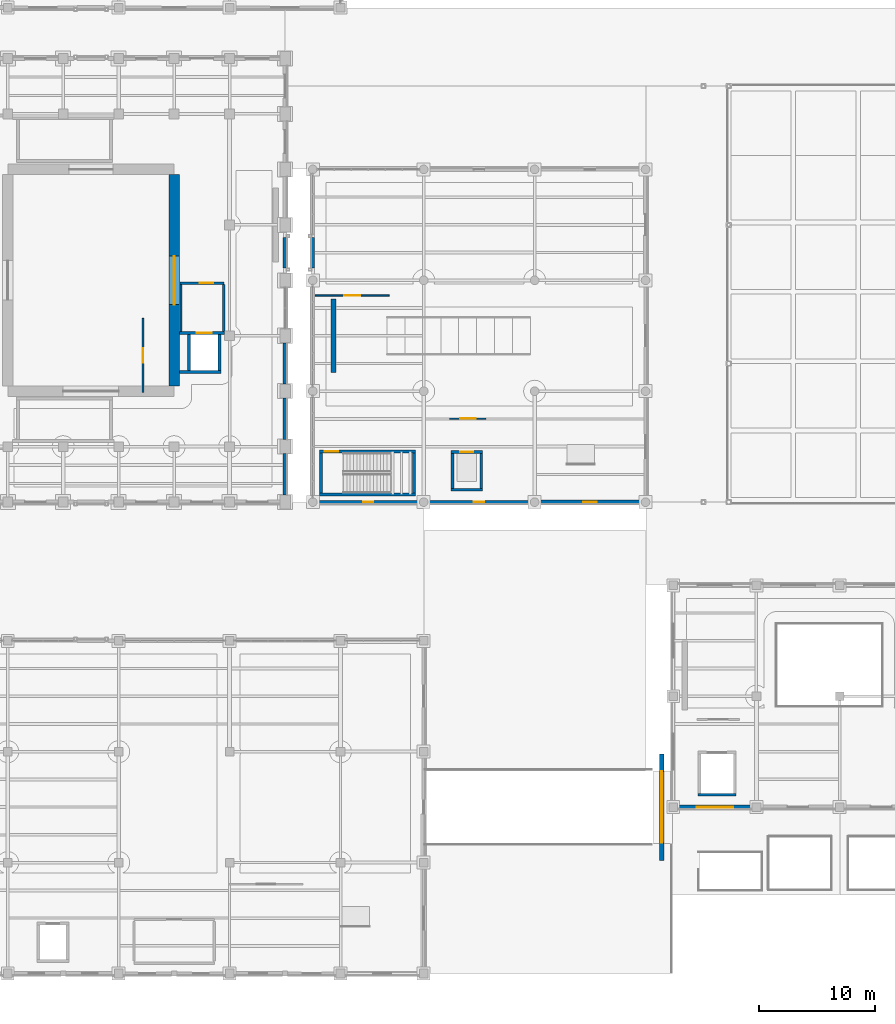
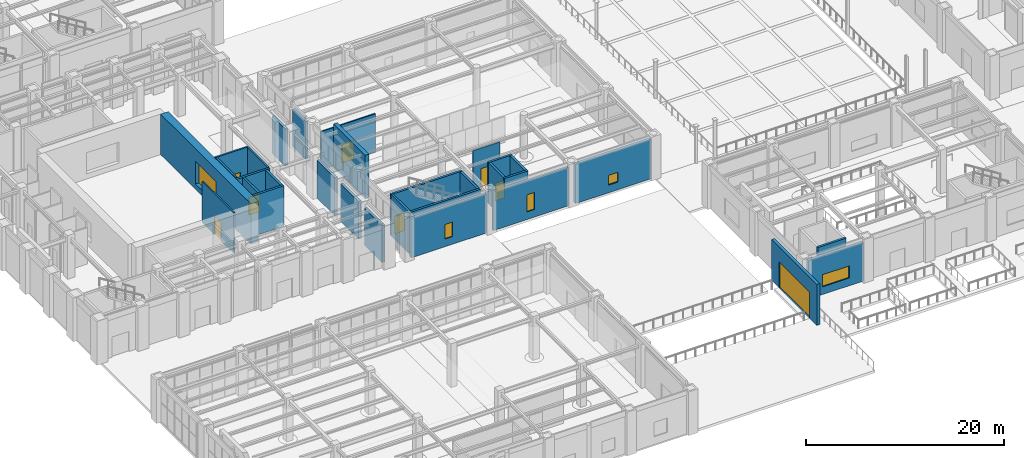
# One storey, part 130 of 164: 31 walls, 8 doors, 5 windows, 13 openings.
"""IFC4 building model written with IfcOpenShell, lengths in metres."""

from ifc_helpers import new_model, si_unit, direction, frame, frame_2d, origin, place, context, subcontext, project, spatial, rectangle, extrude, material, layer, layer_set, type_object, element, fill, save


model = new_model("IFC4")

# Units and contexts
model_context = context("Model", 3, precision=1e-05, world=origin(), true_north=direction((0.0, 1.0)))
body_context = subcontext(model_context, "Body", "Model", "MODEL_VIEW")
ifc_project = project(units=[si_unit("LENGTHUNIT", "METRE"), si_unit("AREAUNIT", "SQUARE_METRE"), si_unit("VOLUMEUNIT", "CUBIC_METRE"), si_unit("PLANEANGLEUNIT", "RADIAN"), si_unit("MASSUNIT", "GRAM", prefix="KILO")], contexts=[model_context])

# Site, building, storey
site_placement = place(None, origin())
site = spatial("IfcSite", under=ifc_project, at=site_placement, CompositionType="ELEMENT")
building_placement = place(site_placement, origin())
building = spatial("IfcBuilding", under=site, at=building_placement, Name="Mavantir Sound Aquarium", CompositionType="ELEMENT")
storey_placement = place(building_placement, origin())
storey = spatial("IfcBuildingStorey", under=building, at=storey_placement, Name="L00", CompositionType="ELEMENT", Elevation=0.0)

# Walls
ifc_material_1 = material(Name="Coral-Buff Architectural Precast Concrete C40/50", Category="concrete")
ifc_layer_1 = layer(ifc_material_1, 0.31005859375, Name="Coral-Buff Architectural Precast Concrete C40/50")
ifc_layer_set_1 = layer_set([ifc_layer_1], Name="Coral-Buff Architectural Precast Concrete C40/50")
wall_type_1 = type_object("IfcWallType", Name="EW-CORAL-310", PredefinedType="SOLIDWALL", material=ifc_layer_set_1)
wall_1_placement = place(storey_placement, frame((36.0, 63.717041015625, 0.0), z_axis=(0.0, 0.0, 1.0), x_axis=(0.0, -1.0, 0.0)))
element("IfcWall", 1, at=wall_1_placement, inside=storey, type_object=wall_type_1, Name="L00 exterior facade wall EW-02 68", PredefinedType="SOLIDWALL", context=body_context, shape_type="SweptSolid", body=[
    extrude(rectangle(XDim=2.634033203125, YDim=0.31005859375, at=frame_2d((1.31689453125, 0.0))), origin(), (0.0, 0.0, 1.0), 4.62109375),
])
ifc_layer_2 = layer(ifc_material_1, 0.340087890625, Name="Coral-Buff Architectural Precast Concrete C40/50")
ifc_layer_set_2 = layer_set([ifc_layer_2], Name="Coral-Buff Architectural Precast Concrete C40/50")
wall_type_2 = type_object("IfcWallType", Name="EW-CORAL-340", PredefinedType="SOLIDWALL", material=ifc_layer_set_2)
wall_2_placement = place(storey_placement, frame((33.60009765625, 41.407958984375, 0.0), z_axis=(0.0, 0.0, 1.0), x_axis=(0.0, 1.0, 0.0)))
element("IfcWall", 2, at=wall_2_placement, inside=storey, type_object=wall_type_2, Name="L00 exterior facade wall EW-01 28", PredefinedType="SOLIDWALL", context=body_context, shape_type="SweptSolid", body=[
    extrude(rectangle(XDim=3.583984375, YDim=0.340087890625, at=frame_2d((1.7919921875, 0.0))), origin(), (0.0, 0.0, 1.0), 4.549072265625),
])
for number, where, z_axis, x_axis, name in (
    (3, (33.60009765625, 46.2080078125, 0.0), (0.0, 0.0, 1.0), (0.0, 1.0, 0.0), "L00 exterior facade wall EW-01 29"),
    (4, (33.60009765625, 51.008056640625, 0.0), (0.0, 0.0, 1.0), (0.0, 1.0, 0.0), "L00 exterior facade wall EW-01 30"),
):
    element("IfcWall", number, at=place(storey_placement, frame(where, z_axis=z_axis, x_axis=x_axis)), inside=storey, type_object=wall_type_2, Name=name, PredefinedType="SOLIDWALL", context=body_context, shape_type="SweptSolid", body=[
        extrude(rectangle(XDim=3.583984375, YDim=0.340087890625, at=frame_2d((1.7919921875, 0.0))), origin(), (0.0, 0.0, 1.0), 4.657958984375),
    ])
wall_3_placement = place(storey_placement, frame((33.60009765625, 61.0830078125, 0.0), z_axis=(0.0, 0.0, 1.0), x_axis=(0.0, 1.0, 0.0)))
element("IfcWall", 5, at=wall_3_placement, inside=storey, type_object=wall_type_2, Name="L00 exterior facade wall EW-01 31", PredefinedType="SOLIDWALL", context=body_context, shape_type="SweptSolid", body=[
    extrude(rectangle(XDim=2.634033203125, YDim=0.340087890625, at=frame_2d((1.31689453125, 0.0))), origin(), (0.0, 0.0, 1.0), 4.62109375),
])

# Wall, opening, window
wall_4_placement = place(storey_placement, frame((67.5830078125, 14.39990234375, 0.0), z_axis=(0.0, 0.0, 1.0), x_axis=(1.0, 0.0, 0.0)))
wall_4 = element("IfcWall", 6, at=wall_4_placement, inside=storey, type_object=wall_type_2, Name="L00 exterior facade wall EW-01 134", PredefinedType="SOLIDWALL", context=body_context, shape_type="SweptSolid", body=[
    extrude(rectangle(XDim=6.43408203125, YDim=0.340087890625, at=frame_2d((3.217041015625, 0.0))), origin(), (0.0, 0.0, 1.0), 4.758056640625),
])
opening_1_placement = place(wall_4_placement, frame((1.64208984375, 0.0, 0.949951171875)))
opening_1 = element("IfcOpeningElement", 7, at=opening_1_placement, cuts=wall_4, Name="Opening W-46", PredefinedType="OPENING", context=body_context, shape_type="SweptSolid", body=[
    extrude(rectangle(XDim=3.14990234375, YDim=1.5, at=frame_2d((1.574951171875, 0.75))), frame((0.0, 0.18017578125, 0.0), z_axis=(0.0, -1.0, 0.0), x_axis=(1.0, 0.0, 0.0)), (0.0, 0.0, 1.0), 0.360107421875),
])
ifc_material_2 = material(Name="Thermally Broken Aluminium and Low-E Glass", Category="aluminium")
window_type_1 = type_object("IfcWindowType", Name="WIN-EXT-46", PartitioningType="TRIPLE_PANEL_VERTICAL", PredefinedType="WINDOW", material=ifc_material_2)
window_1_placement = place(opening_1_placement, origin())
window_1 = element("IfcWindow", 8, at=window_1_placement, inside=storey, type_object=window_type_1, Name="L00 facade window W-46 46", OverallHeight=1.5, OverallWidth=3.14990234375, PartitioningType="SINGLE_PANEL", PredefinedType="WINDOW", context=body_context, shape_type="SweptSolid", body=[
    extrude(rectangle(XDim=3.14990234375, YDim=1.5, at=frame_2d((1.574951171875, 0.75))), frame((0.0, 0.030029296875, 0.0), z_axis=(0.0, -1.0, 0.0), x_axis=(1.0, 0.0, 0.0)), (0.0, 0.0, 1.0), 0.06005859375),
])
fill(opening_1, window_1)

ifc_layer_3 = layer(ifc_material_1, 0.360107421875, Name="Coral-Buff Architectural Precast Concrete C40/50")
ifc_layer_set_3 = layer_set([ifc_layer_3], Name="Coral-Buff Architectural Precast Concrete C40/50")
wall_type_3 = type_object("IfcWallType", Name="EW-PRE-360", PredefinedType="SOLIDWALL", material=ifc_layer_set_3)
wall_5_placement = place(storey_placement, frame((55.5830078125, 40.800048828125, 0.0), z_axis=(0.0, 0.0, 1.0), x_axis=(1.0, 0.0, 0.0)))
wall_5 = element("IfcWall", 9, at=wall_5_placement, inside=storey, type_object=wall_type_3, Name="L00 exterior facade wall EW-05 71", PredefinedType="SOLIDWALL", context=body_context, shape_type="SweptSolid", body=[
    extrude(rectangle(XDim=8.833984375, YDim=0.360107421875, at=frame_2d((4.4169921875, 0.0))), origin(), (0.0, 0.0, 1.0), 4.863037109375),
])
opening_2_placement = place(wall_5_placement, frame((3.842041015625, 0.0, 0.949951171875)))
opening_2 = element("IfcOpeningElement", 10, at=opening_2_placement, cuts=wall_5, Name="Opening W-05", PredefinedType="OPENING", context=body_context, shape_type="SweptSolid", body=[
    extrude(rectangle(XDim=1.14990234375, YDim=1.199951171875, at=frame_2d((0.574951171875, 0.60009765625))), frame((0.0, 0.18994140625, 0.0), z_axis=(0.0, -1.0, 0.0), x_axis=(1.0, 0.0, 0.0)), (0.0, 0.0, 1.0), 0.380126953125),
])
window_type_2 = type_object("IfcWindowType", Name="WIN-EXT-05", PartitioningType="SINGLE_PANEL", PredefinedType="WINDOW", material=ifc_material_2)
window_2_placement = place(opening_2_placement, origin())
window_2 = element("IfcWindow", 11, at=window_2_placement, inside=storey, type_object=window_type_2, Name="L00 facade window W-05 5", OverallHeight=1.199951171875, OverallWidth=1.14990234375, PartitioningType="SINGLE_PANEL", PredefinedType="WINDOW", context=body_context, shape_type="SweptSolid", body=[
    extrude(rectangle(XDim=1.14990234375, YDim=1.199951171875, at=frame_2d((0.574951171875, 0.60009765625))), frame((0.0, 0.030029296875, 0.0), z_axis=(0.0, -1.0, 0.0), x_axis=(1.0, 0.0, 0.0)), (0.0, 0.0, 1.0), 0.06005859375),
])
fill(opening_2, window_2)

# Wall, opening, door
wall_6_placement = place(storey_placement, frame((66.199951171875, 9.800048828125, 0.0), z_axis=(0.0, 0.0, 1.0), x_axis=(0.0, 1.0, 0.0)))
wall_6 = element("IfcWall", 12, at=wall_6_placement, inside=storey, type_object=wall_type_3, Name="Vehicle ramp portal wall L00", PredefinedType="SOLIDWALL", context=body_context, shape_type="SweptSolid", body=[
    extrude(rectangle(XDim=9.199951171875, YDim=0.360107421875, at=frame_2d((4.60009765625, 0.0))), origin(), (0.0, 0.0, 1.0), 5.06005859375),
])
opening_3_placement = place(wall_6_placement, frame((7.699951171875, 0.0, 0.0), z_axis=(0.0, 0.0, 1.0), x_axis=(-1.0, 0.0, 0.0)))
opening_3 = element("IfcOpeningElement", 13, at=opening_3_placement, cuts=wall_6, Name="Opening SG-03", PredefinedType="OPENING", context=body_context, shape_type="SweptSolid", body=[
    extrude(rectangle(XDim=6.199951171875, YDim=3.199951171875, at=frame_2d((3.10009765625, 1.60009765625))), frame((0.0, 0.18994140625, 0.0), z_axis=(0.0, -1.0, 0.0), x_axis=(1.0, 0.0, 0.0)), (0.0, 0.0, 1.0), 0.380126953125),
])
ifc_material_3 = material(Name="Marine-Grade Anodised Aluminium and Laminated Glass", Category="aluminium")
door_type_1 = type_object("IfcDoorType", Name="DR-GATE-620", OperationType="NOTDEFINED", PredefinedType="GATE", material=ifc_material_3)
door_1_placement = place(opening_3_placement, origin())
door_1 = element("IfcDoor", 14, at=door_1_placement, inside=storey, type_object=door_type_1, Name="Car park vehicle ramp exit shutter gate SG-03", OperationType="ROLLINGUP", OverallHeight=3.199951171875, OverallWidth=6.199951171875, PredefinedType="GATE", context=body_context, shape_type="SweptSolid", body=[
    extrude(rectangle(XDim=6.199951171875, YDim=3.199951171875, at=frame_2d((3.10009765625, 1.60009765625))), frame((0.0, 0.02490234375, 0.0), z_axis=(0.0, -1.0, 0.0), x_axis=(1.0, 0.0, 0.0)), (0.0, 0.0, 1.0), 0.050048828125),
])
fill(opening_3, door_1)

# Wall, opening, window
ifc_material_4 = material(Name="Cerulean Glazed Terracotta Rainscreen on Concrete C40/50", Category="masonry")
ifc_layer_4 = layer(ifc_material_4, 0.27001953125, Name="Cerulean Glazed Terracotta Rainscreen on Concrete C40/50")
ifc_layer_set_4 = layer_set([ifc_layer_4], Name="Cerulean Glazed Terracotta Rainscreen on Concrete C40/50")
wall_type_4 = type_object("IfcWallType", Name="EW-TERRA-270", PredefinedType="SOLIDWALL", material=ifc_layer_set_4)
wall_7_placement = place(storey_placement, frame((45.98291015625, 40.800048828125, 0.0), z_axis=(0.0, 0.0, 1.0), x_axis=(1.0, 0.0, 0.0)))
wall_7 = element("IfcWall", 15, at=wall_7_placement, inside=storey, type_object=wall_type_4, Name="L00 exterior facade wall EW-04 70", PredefinedType="SOLIDWALL", context=body_context, shape_type="SweptSolid", body=[
    extrude(rectangle(XDim=8.833984375, YDim=0.27001953125, at=frame_2d((4.4169921875, 0.0))), origin(), (0.0, 0.0, 1.0), 4.758056640625),
])
opening_4_placement = place(wall_7_placement, frame((3.967041015625, 0.0, 0.949951171875)))
opening_4 = element("IfcOpeningElement", 16, at=opening_4_placement, cuts=wall_7, Name="Opening W-04", PredefinedType="OPENING", context=body_context, shape_type="SweptSolid", body=[
    extrude(rectangle(XDim=0.89990234375, YDim=2.10009765625, at=frame_2d((0.449951171875, 1.050048828125))), frame((0.0, 0.14501953125, 0.0), z_axis=(0.0, -1.0, 0.0), x_axis=(1.0, 0.0, 0.0)), (0.0, 0.0, 1.0), 0.2900390625),
])
window_type_3 = type_object("IfcWindowType", Name="WIN-EXT-04", PartitioningType="SINGLE_PANEL", PredefinedType="WINDOW", material=ifc_material_2)
window_3_placement = place(opening_4_placement, origin())
window_3 = element("IfcWindow", 17, at=window_3_placement, inside=storey, type_object=window_type_3, Name="L00 facade window W-04 4", OverallHeight=2.10009765625, OverallWidth=0.89990234375, PartitioningType="SINGLE_PANEL", PredefinedType="WINDOW", context=body_context, shape_type="SweptSolid", body=[
    extrude(rectangle(XDim=0.89990234375, YDim=2.10009765625, at=frame_2d((0.449951171875, 1.050048828125))), frame((0.0, 0.030029296875, 0.0), z_axis=(0.0, -1.0, 0.0), x_axis=(1.0, 0.0, 0.0)), (0.0, 0.0, 1.0), 0.06005859375),
])
fill(opening_4, window_3)

ifc_material_5 = material(Name="Turquoise Glazed Terracotta Rainscreen on Concrete C40/50", Category="masonry")
ifc_layer_5 = layer(ifc_material_5, 0.2900390625, Name="Turquoise Glazed Terracotta Rainscreen on Concrete C40/50")
ifc_layer_set_5 = layer_set([ifc_layer_5], Name="Turquoise Glazed Terracotta Rainscreen on Concrete C40/50")
wall_type_5 = type_object("IfcWallType", Name="EW-TERRA-290", PredefinedType="SOLIDWALL", material=ifc_layer_set_5)
wall_8_placement = place(storey_placement, frame((36.383056640625, 40.800048828125, 0.0), z_axis=(0.0, 0.0, 1.0), x_axis=(1.0, 0.0, 0.0)))
wall_8 = element("IfcWall", 18, at=wall_8_placement, inside=storey, type_object=wall_type_5, Name="L00 exterior facade wall EW-03 69", PredefinedType="SOLIDWALL", context=body_context, shape_type="SweptSolid", body=[
    extrude(rectangle(XDim=8.833984375, YDim=0.2900390625, at=frame_2d((4.4169921875, 0.0))), origin(), (0.0, 0.0, 1.0), 4.863037109375),
])
opening_5_placement = place(wall_8_placement, frame((3.967041015625, 0.0, 0.949951171875)))
opening_5 = element("IfcOpeningElement", 19, at=opening_5_placement, cuts=wall_8, Name="Opening W-03", PredefinedType="OPENING", context=body_context, shape_type="SweptSolid", body=[
    extrude(rectangle(XDim=0.89990234375, YDim=1.800048828125, at=frame_2d((0.449951171875, 0.89990234375))), frame((0.0, 0.155029296875, 0.0), z_axis=(0.0, -1.0, 0.0), x_axis=(1.0, 0.0, 0.0)), (0.0, 0.0, 1.0), 0.31005859375),
])
window_type_4 = type_object("IfcWindowType", Name="WIN-EXT-03", PartitioningType="SINGLE_PANEL", PredefinedType="WINDOW", material=ifc_material_2)
window_4_placement = place(opening_5_placement, origin())
window_4 = element("IfcWindow", 20, at=window_4_placement, inside=storey, type_object=window_type_4, Name="L00 facade window W-03 3", OverallHeight=1.800048828125, OverallWidth=0.89990234375, PartitioningType="SINGLE_PANEL", PredefinedType="WINDOW", context=body_context, shape_type="SweptSolid", body=[
    extrude(rectangle(XDim=0.89990234375, YDim=1.800048828125, at=frame_2d((0.449951171875, 0.89990234375))), frame((0.0, 0.030029296875, 0.0), z_axis=(0.0, -1.0, 0.0), x_axis=(1.0, 0.0, 0.0)), (0.0, 0.0, 1.0), 0.06005859375),
])
fill(opening_5, window_4)

# Wall, opening, door
ifc_material_6 = material(Name="Concrete C40/50", Category="concrete")
ifc_layer_6 = layer(ifc_material_6, 0.199951171875, Name="Concrete C40/50")
ifc_layer_set_6 = layer_set([ifc_layer_6], Name="Concrete C40/50")
wall_type_6 = type_object("IfcWallType", Name="IW-FFL-200", PredefinedType="PARTITIONING", material=ifc_layer_set_6)
wall_9_placement = place(storey_placement, frame((24.5, 59.75, 0.0), z_axis=(0.0, 0.0, 1.0), x_axis=(1.0, 0.0, 0.0)))
wall_9 = element("IfcWall", 21, at=wall_9_placement, inside=storey, type_object=wall_type_6, Name="L00 firefighting lift lobby LC1 wall N", PredefinedType="PARTITIONING", context=body_context, shape_type="SweptSolid", body=[
    extrude(rectangle(XDim=3.800048828125, YDim=0.199951171875, at=frame_2d((1.89990234375, 0.0))), origin(), (0.0, 0.0, 1.0), 5.0400390625),
])
opening_6_placement = place(wall_9_placement, frame((1.699951171875, 0.0, 0.0)))
opening_6 = element("IfcOpeningElement", 22, at=opening_6_placement, cuts=wall_9, Name="Opening FD-01", PredefinedType="OPENING", context=body_context, shape_type="SweptSolid", body=[
    extrude(rectangle(XDim=1.199951171875, YDim=2.199951171875, at=frame_2d((0.60009765625, 1.10009765625))), frame((0.0, 0.10986328125, 0.0), z_axis=(0.0, -1.0, 0.0), x_axis=(1.0, 0.0, 0.0)), (0.0, 0.0, 1.0), 0.219970703125),
])
ifc_material_7 = material(Name="Fire-Rated Steel Lobby Door Leaf", Category="steel")
door_type_2 = type_object("IfcDoorType", Name="DR-FFL-120", OperationType="NOTDEFINED", PredefinedType="DOOR", material=ifc_material_7)
door_2_placement = place(opening_6_placement, origin())
door_2 = element("IfcDoor", 23, at=door_2_placement, inside=storey, type_object=door_type_2, Name="L00 firefighting lobby LC1 accommodation door", OperationType="SINGLE_SWING_LEFT", OverallHeight=2.199951171875, OverallWidth=1.199951171875, PredefinedType="DOOR", context=body_context, shape_type="SweptSolid", body=[
    extrude(rectangle(XDim=1.199951171875, YDim=2.199951171875, at=frame_2d((0.60009765625, 1.10009765625))), frame((0.0, 0.02490234375, 0.0), z_axis=(0.0, -1.0, 0.0), x_axis=(1.0, 0.0, 0.0)), (0.0, 0.0, 1.0), 0.050048828125),
])
fill(opening_6, door_2)

# Walls
for number, where, z_axis, x_axis, name in (
    (24, (24.60009765625, 55.550048828125, 0.0), (0.0, 0.0, 1.0), (0.0, 1.0, 0.0), "L00 firefighting lift lobby LC1 wall W"),
    (25, (28.300048828125, 55.550048828125, 0.0), (0.0, 0.0, 1.0), (0.0, 1.0, 0.0), "L00 firefighting lift lobby LC1 wall E"),
):
    element("IfcWall", number, at=place(storey_placement, frame(where, z_axis=z_axis, x_axis=x_axis)), inside=storey, type_object=wall_type_6, Name=name, PredefinedType="PARTITIONING", context=body_context, shape_type="SweptSolid", body=[
        extrude(rectangle(XDim=4.099853515625, YDim=0.199951171875, at=frame_2d((2.0498046875, 0.0))), origin(), (0.0, 0.0, 1.0), 5.0400390625),
    ])

# Wall, opening, door
ifc_material_8 = material(Name="Moisture-Resistant Marine Gypsum Partition", Category="gypsum")
ifc_layer_7 = layer(ifc_material_8, 0.139892578125, Name="Moisture-Resistant Marine Gypsum Partition")
ifc_layer_set_7 = layer_set([ifc_layer_7], Name="Moisture-Resistant Marine Gypsum Partition")
wall_type_7 = type_object("IfcWallType", Name="IW-PART-140", PredefinedType="PARTITIONING", material=ifc_layer_set_7)
wall_10_placement = place(storey_placement, frame((36.20458984375, 58.699951171875, 0.0), z_axis=(0.0, 0.0, 1.0), x_axis=(1.0, 0.0, 0.0)))
wall_10 = element("IfcWall", 26, at=wall_10_placement, inside=storey, type_object=wall_type_7, Name="L00 Abyssal Trench and Nocturnal Reef Exhibit Gallery entry partition", PredefinedType="PARTITIONING", context=body_context, shape_type="SweptSolid", body=[
    extrude(rectangle(XDim=6.400146484375, YDim=0.139892578125, at=frame_2d((3.2001953125, 0.0))), origin(), (0.0, 0.0, 1.0), 4.758056640625),
])
opening_7_placement = place(wall_10_placement, frame((2.5, 0.0, 0.0)))
opening_7 = element("IfcOpeningElement", 27, at=opening_7_placement, cuts=wall_10, Name="Opening ID-12", PredefinedType="OPENING", context=body_context, shape_type="SweptSolid", body=[
    extrude(rectangle(XDim=1.39990234375, YDim=2.300048828125, at=frame_2d((0.699951171875, 1.14990234375))), frame((0.0, 0.080078125, 0.0), z_axis=(0.0, -1.0, 0.0), x_axis=(1.0, 0.0, 0.0)), (0.0, 0.0, 1.0), 0.159912109375),
])
ifc_material_9 = material(Name="Solid-Core Marine Hardwood and Vision-Panel Door", Category="wood")
door_type_3 = type_object("IfcDoorType", Name="DR-INT-12", OperationType="NOTDEFINED", PredefinedType="DOOR", material=ifc_material_9)
door_3_placement = place(opening_7_placement, origin())
door_3 = element("IfcDoor", 28, at=door_3_placement, inside=storey, type_object=door_type_3, Name="Abyssal Trench and Nocturnal Reef Exhibit Gallery door", OperationType="SINGLE_SWING_RIGHT", OverallHeight=2.300048828125, OverallWidth=1.39990234375, PredefinedType="DOOR", context=body_context, shape_type="SweptSolid", body=[
    extrude(rectangle(XDim=1.39990234375, YDim=2.300048828125, at=frame_2d((0.699951171875, 1.14990234375))), frame((0.0, 0.02490234375, 0.0), z_axis=(0.0, -1.0, 0.0), x_axis=(1.0, 0.0, 0.0)), (0.0, 0.0, 1.0), 0.050048828125),
])
fill(opening_7, door_3)

ifc_layer_8 = layer(ifc_material_8, 0.14990234375, Name="Moisture-Resistant Marine Gypsum Partition")
ifc_layer_set_8 = layer_set([ifc_layer_8], Name="Moisture-Resistant Marine Gypsum Partition")
wall_type_8 = type_object("IfcWallType", Name="IW-PART-150", PredefinedType="PARTITIONING", material=ifc_layer_set_8)
wall_11_placement = place(storey_placement, frame((47.85009765625, 48.02490234375, 0.0), z_axis=(0.0, 0.0, 1.0), x_axis=(1.0, 0.0, 0.0)))
wall_11 = element("IfcWall", 29, at=wall_11_placement, inside=storey, type_object=wall_type_8, Name="L00 Walkthrough Cast-Acrylic Viewing Tunnel Hall entry partition", PredefinedType="PARTITIONING", context=body_context, shape_type="SweptSolid", body=[
    extrude(rectangle(XDim=3.14990234375, YDim=0.14990234375, at=frame_2d((1.574951171875, 0.0))), origin(), (0.0, 0.0, 1.0), 4.81396484375),
])
opening_8_placement = place(wall_11_placement, frame((0.905029296875, 0.0, 0.0)))
opening_8 = element("IfcOpeningElement", 30, at=opening_8_placement, cuts=wall_11, Name="Opening ID-11", PredefinedType="OPENING", context=body_context, shape_type="SweptSolid", body=[
    extrude(rectangle(XDim=1.340087890625, YDim=2.280029296875, at=frame_2d((0.669921875, 1.14013671875))), frame((0.0, 0.0849609375, 0.0), z_axis=(0.0, -1.0, 0.0), x_axis=(1.0, 0.0, 0.0)), (0.0, 0.0, 1.0), 0.169921875),
])
door_type_4 = type_object("IfcDoorType", Name="DR-INT-11", OperationType="NOTDEFINED", PredefinedType="DOOR", material=ifc_material_9)
door_4_placement = place(opening_8_placement, origin())
door_4 = element("IfcDoor", 31, at=door_4_placement, inside=storey, type_object=door_type_4, Name="Walkthrough Cast-Acrylic Viewing Tunnel Hall door", OperationType="SINGLE_SWING_LEFT", OverallHeight=2.280029296875, OverallWidth=1.340087890625, PredefinedType="DOOR", context=body_context, shape_type="SweptSolid", body=[
    extrude(rectangle(XDim=1.340087890625, YDim=2.280029296875, at=frame_2d((0.669921875, 1.14013671875))), frame((0.0, 0.02490234375, 0.0), z_axis=(0.0, -1.0, 0.0), x_axis=(1.0, 0.0, 0.0)), (0.0, 0.0, 1.0), 0.050048828125),
])
fill(opening_8, door_4)

ifc_material_10 = material(Name="Acoustic Metal-Stud Gypsum Partition", Category="gypsum")
ifc_layer_9 = layer(ifc_material_10, 0.159912109375, Name="Acoustic Metal-Stud Gypsum Partition")
ifc_layer_set_9 = layer_set([ifc_layer_9], Name="Acoustic Metal-Stud Gypsum Partition")
wall_type_9 = type_object("IfcWallType", Name="IW-PART-160", PredefinedType="PARTITIONING", material=ifc_layer_set_9)
wall_12_placement = place(storey_placement, frame((21.297607421875, 50.300048828125, 0.0), z_axis=(0.0, 0.0, 1.0), x_axis=(0.0, 1.0, 0.0)))
wall_12 = element("IfcWall", 32, at=wall_12_placement, inside=storey, type_object=wall_type_9, Name="L00 Ocean Tank Lower Pelagic Viewing Gallery entry partition", PredefinedType="PARTITIONING", context=body_context, shape_type="SweptSolid", body=[
    extrude(rectangle(XDim=6.39990234375, YDim=0.159912109375, at=frame_2d((3.199951171875, 0.0))), origin(), (0.0, 0.0, 1.0), 5.0400390625),
])
opening_9_placement = place(wall_12_placement, frame((2.56005859375, 0.0, 0.0)))
opening_9 = element("IfcOpeningElement", 33, at=opening_9_placement, cuts=wall_12, Name="Opening ID-10", PredefinedType="OPENING", context=body_context, shape_type="SweptSolid", body=[
    extrude(rectangle(XDim=1.280029296875, YDim=2.25, at=frame_2d((0.64013671875, 1.125))), frame((0.0, 0.08984375, 0.0), z_axis=(0.0, -1.0, 0.0), x_axis=(1.0, 0.0, 0.0)), (0.0, 0.0, 1.0), 0.179931640625),
])
door_type_5 = type_object("IfcDoorType", Name="DR-INT-10", OperationType="NOTDEFINED", PredefinedType="DOOR", material=ifc_material_9)
door_5_placement = place(opening_9_placement, origin())
door_5 = element("IfcDoor", 34, at=door_5_placement, inside=storey, type_object=door_type_5, Name="Ocean Tank Lower Pelagic Viewing Gallery door", OperationType="SINGLE_SWING_RIGHT", OverallHeight=2.25, OverallWidth=1.280029296875, PredefinedType="DOOR", context=body_context, shape_type="SweptSolid", body=[
    extrude(rectangle(XDim=1.280029296875, YDim=2.25, at=frame_2d((0.64013671875, 1.125))), frame((0.0, 0.02490234375, 0.0), z_axis=(0.0, -1.0, 0.0), x_axis=(1.0, 0.0, 0.0)), (0.0, 0.0, 1.0), 0.050048828125),
])
fill(opening_9, door_5)

# Wall
ifc_layer_10 = layer(ifc_material_6, 0.25, Name="Concrete C40/50")
ifc_layer_set_10 = layer_set([ifc_layer_10], Name="Concrete C40/50")
wall_type_10 = type_object("IfcWallType", Name="IW-SHAFT-250", PredefinedType="SHEAR", material=ifc_layer_set_10)
wall_13_placement = place(storey_placement, frame((36.60009765625, 41.47509765625, 0.0), z_axis=(0.0, 0.0, 1.0), x_axis=(1.0, 0.0, 0.0)))
element("IfcWall", 35, at=wall_13_placement, inside=storey, type_object=wall_type_10, Name="L00 stair ST8 shaft wall S", PredefinedType="SHEAR", context=body_context, shape_type="SweptSolid", body=[
    extrude(rectangle(XDim=8.2998046875, YDim=0.25, at=frame_2d((4.14990234375, 0.0))), origin(), (0.0, 0.0, 1.0), 5.10009765625),
])

# Wall, opening, door
wall_14_placement = place(storey_placement, frame((44.89990234375, 45.175048828125, 0.0), z_axis=(0.0, 0.0, 1.0), x_axis=(-1.0, 0.0, 0.0)))
wall_14 = element("IfcWall", 36, at=wall_14_placement, inside=storey, type_object=wall_type_10, Name="L00 stair ST8 shaft wall N", PredefinedType="SHEAR", context=body_context, shape_type="SweptSolid", body=[
    extrude(rectangle(XDim=8.2998046875, YDim=0.25, at=frame_2d((4.14990234375, 0.0))), origin(), (0.0, 0.0, 1.0), 5.10009765625),
])
opening_10_placement = place(wall_14_placement, frame((7.849853515625, 0.0, 0.0), z_axis=(0.0, 0.0, 1.0), x_axis=(-1.0, 0.0, 0.0)))
opening_10 = element("IfcOpeningElement", 37, at=opening_10_placement, cuts=wall_14, Name="Opening SD-02", PredefinedType="OPENING", context=body_context, shape_type="SweptSolid", body=[
    extrude(rectangle(XDim=1.14990234375, YDim=2.199951171875, at=frame_2d((0.574951171875, 1.10009765625))), frame((0.0, 0.135009765625, 0.0), z_axis=(0.0, -1.0, 0.0), x_axis=(1.0, 0.0, 0.0)), (0.0, 0.0, 1.0), 0.27001953125),
])
ifc_material_11 = material(Name="Fire-Rated Steel Acoustic Door Leaf", Category="steel")
door_type_6 = type_object("IfcDoorType", Name="DR-ST-115", OperationType="NOTDEFINED", PredefinedType="DOOR", material=ifc_material_11)
door_6_placement = place(opening_10_placement, origin())
door_6 = element("IfcDoor", 38, at=door_6_placement, inside=storey, type_object=door_type_6, Name="L00 protected exit stair ST8 door", OperationType="SINGLE_SWING_LEFT", OverallHeight=2.199951171875, OverallWidth=1.14990234375, PredefinedType="DOOR", context=body_context, shape_type="SweptSolid", body=[
    extrude(rectangle(XDim=1.14990234375, YDim=2.199951171875, at=frame_2d((0.574951171875, 1.10009765625))), frame((0.0, 0.02490234375, 0.0), z_axis=(0.0, -1.0, 0.0), x_axis=(1.0, 0.0, 0.0)), (0.0, 0.0, 1.0), 0.050048828125),
])
fill(opening_10, door_6)

# Walls
for number, where, z_axis, x_axis, name in (
    (39, (36.72509765625, 45.050048828125, 0.0), (0.0, 0.0, 1.0), (0.0, -1.0, 0.0), "L00 stair ST8 shaft wall W"),
    (40, (44.77490234375, 41.60009765625, 0.0), (0.0, 0.0, 1.0), (0.0, 1.0, 0.0), "L00 stair ST8 shaft wall E"),
):
    element("IfcWall", number, at=place(storey_placement, frame(where, z_axis=z_axis, x_axis=x_axis)), inside=storey, type_object=wall_type_10, Name=name, PredefinedType="SHEAR", context=body_context, shape_type="SweptSolid", body=[
        extrude(rectangle(XDim=3.449951171875, YDim=0.25, at=frame_2d((1.72509765625, 0.0))), origin(), (0.0, 0.0, 1.0), 5.10009765625),
    ])
wall_15_placement = place(storey_placement, frame((24.449951171875, 52.074951171875, 0.0), z_axis=(0.0, 0.0, 1.0), x_axis=(1.0, 0.0, 0.0)))
element("IfcWall", 41, at=wall_15_placement, inside=storey, type_object=wall_type_10, Name="L00 lift LC1 shaft wall S", PredefinedType="SHEAR", context=body_context, shape_type="SweptSolid", body=[
    extrude(rectangle(XDim=3.60009765625, YDim=0.25, at=frame_2d((1.800048828125, 0.0))), origin(), (0.0, 0.0, 1.0), 5.0),
])

# Wall, opening, door
wall_16_placement = place(storey_placement, frame((24.449951171875, 55.425048828125, 0.0), z_axis=(0.0, 0.0, 1.0), x_axis=(1.0, 0.0, 0.0)))
wall_16 = element("IfcWall", 42, at=wall_16_placement, inside=storey, type_object=wall_type_10, Name="L00 lift LC1 shaft wall N", PredefinedType="SHEAR", context=body_context, shape_type="SweptSolid", body=[
    extrude(rectangle(XDim=3.925048828125, YDim=0.25, at=frame_2d((1.96240234375, 0.0))), origin(), (0.0, 0.0, 1.0), 5.0),
])
opening_11_placement = place(wall_16_placement, frame((1.5, 0.0, 0.0)))
opening_11 = element("IfcOpeningElement", 43, at=opening_11_placement, cuts=wall_16, Name="Opening LD-01", PredefinedType="OPENING", context=body_context, shape_type="SweptSolid", body=[
    extrude(rectangle(XDim=1.300048828125, YDim=2.199951171875, at=frame_2d((0.64990234375, 1.10009765625))), frame((0.0, 0.135009765625, 0.0), z_axis=(0.0, -1.0, 0.0), x_axis=(1.0, 0.0, 0.0)), (0.0, 0.0, 1.0), 0.27001953125),
])
ifc_material_12 = material(Name="Stainless Steel 316 Sliding Lift Landing Door", Category="steel")
door_type_7 = type_object("IfcDoorType", Name="DR-LD-130", OperationType="NOTDEFINED", PredefinedType="DOOR", material=ifc_material_12)
door_7_placement = place(opening_11_placement, origin())
door_7 = element("IfcDoor", 44, at=door_7_placement, inside=storey, type_object=door_type_7, Name="Lift LC1 sliding landing door (L00)", OperationType="DOUBLE_DOOR_SLIDING", OverallHeight=2.199951171875, OverallWidth=1.300048828125, PredefinedType="DOOR", context=body_context, shape_type="SweptSolid", body=[
    extrude(rectangle(XDim=1.300048828125, YDim=2.199951171875, at=frame_2d((0.64990234375, 1.10009765625))), frame((0.0, 0.02490234375, 0.0), z_axis=(0.0, -1.0, 0.0), x_axis=(1.0, 0.0, 0.0)), (0.0, 0.0, 1.0), 0.050048828125),
])
fill(opening_11, door_7)

# Walls
for number, where, z_axis, x_axis, name in (
    (45, (25.27490234375, 52.199951171875, 0.0), (0.0, 0.0, 1.0), (0.0, 1.0, 0.0), "L00 lift LC1 shaft wall W"),
    (46, (27.925048828125, 52.199951171875, 0.0), (0.0, 0.0, 1.0), (0.0, 1.0, 0.0), "L00 lift LC1 shaft wall E"),
):
    element("IfcWall", number, at=place(storey_placement, frame(where, z_axis=z_axis, x_axis=x_axis)), inside=storey, type_object=wall_type_10, Name=name, PredefinedType="SHEAR", context=body_context, shape_type="SweptSolid", body=[
        extrude(rectangle(XDim=3.10009765625, YDim=0.25, at=frame_2d((1.550048828125, 0.0))), origin(), (0.0, 0.0, 1.0), 5.0),
    ])
wall_17_placement = place(storey_placement, frame((47.949951171875, 41.875, 0.0), z_axis=(0.0, 0.0, 1.0), x_axis=(1.0, 0.0, 0.0)))
element("IfcWall", 47, at=wall_17_placement, inside=storey, type_object=wall_type_10, Name="L00 lift LC5 shaft wall S", PredefinedType="SHEAR", context=body_context, shape_type="SweptSolid", body=[
    extrude(rectangle(XDim=2.75, YDim=0.25, at=frame_2d((1.375, 0.0))), origin(), (0.0, 0.0, 1.0), 5.10009765625),
])

# Wall, opening, door
wall_18_placement = place(storey_placement, frame((47.949951171875, 45.125, 0.0), z_axis=(0.0, 0.0, 1.0), x_axis=(1.0, 0.0, 0.0)))
wall_18 = element("IfcWall", 48, at=wall_18_placement, inside=storey, type_object=wall_type_10, Name="L00 lift LC5 shaft wall N", PredefinedType="SHEAR", context=body_context, shape_type="SweptSolid", body=[
    extrude(rectangle(XDim=2.75, YDim=0.25, at=frame_2d((1.375, 0.0))), origin(), (0.0, 0.0, 1.0), 5.10009765625),
])
opening_12_placement = place(wall_18_placement, frame((0.824951171875, 0.0, 0.0)))
opening_12 = element("IfcOpeningElement", 49, at=opening_12_placement, cuts=wall_18, Name="Opening LD-02", PredefinedType="OPENING", context=body_context, shape_type="SweptSolid", body=[
    extrude(rectangle(XDim=1.10009765625, YDim=2.199951171875, at=frame_2d((0.550048828125, 1.10009765625))), frame((0.0, 0.135009765625, 0.0), z_axis=(0.0, -1.0, 0.0), x_axis=(1.0, 0.0, 0.0)), (0.0, 0.0, 1.0), 0.27001953125),
])
door_type_8 = type_object("IfcDoorType", Name="DR-LD-110", OperationType="NOTDEFINED", PredefinedType="DOOR", material=ifc_material_12)
door_8_placement = place(opening_12_placement, origin())
door_8 = element("IfcDoor", 50, at=door_8_placement, inside=storey, type_object=door_type_8, Name="Lift LC5 sliding landing door (L00)", OperationType="DOUBLE_DOOR_SLIDING", OverallHeight=2.199951171875, OverallWidth=1.10009765625, PredefinedType="DOOR", context=body_context, shape_type="SweptSolid", body=[
    extrude(rectangle(XDim=1.10009765625, YDim=2.199951171875, at=frame_2d((0.550048828125, 1.10009765625))), frame((0.0, 0.02490234375, 0.0), z_axis=(0.0, -1.0, 0.0), x_axis=(1.0, 0.0, 0.0)), (0.0, 0.0, 1.0), 0.050048828125),
])
fill(opening_12, door_8)

# Walls
for number, where, z_axis, x_axis, name in (
    (51, (48.074951171875, 42.0, 0.0), (0.0, 0.0, 1.0), (0.0, 1.0, 0.0), "L00 lift LC5 shaft wall W"),
    (52, (50.574951171875, 42.0, 0.0), (0.0, 0.0, 1.0), (0.0, 1.0, 0.0), "L00 lift LC5 shaft wall E"),
):
    element("IfcWall", number, at=place(storey_placement, frame(where, z_axis=z_axis, x_axis=x_axis)), inside=storey, type_object=wall_type_10, Name=name, PredefinedType="SHEAR", context=body_context, shape_type="SweptSolid", body=[
        extrude(rectangle(XDim=3.0, YDim=0.25, at=frame_2d((1.5, 0.0))), origin(), (0.0, 0.0, 1.0), 5.10009765625),
    ])
wall_19_placement = place(storey_placement, frame((69.35009765625, 15.47509765625, 0.0), z_axis=(0.0, 0.0, 1.0), x_axis=(1.0, 0.0, 0.0)))
element("IfcWall", 53, at=wall_19_placement, inside=storey, type_object=wall_type_10, Name="L00 lift LC7 shaft wall S", PredefinedType="SHEAR", context=body_context, shape_type="SweptSolid", body=[
    extrude(rectangle(XDim=3.2998046875, YDim=0.25, at=frame_2d((1.64990234375, 0.0))), origin(), (0.0, 0.0, 1.0), 5.10009765625),
])
ifc_layer_11 = layer(ifc_material_6, 0.449951171875, Name="Concrete C40/50")
ifc_layer_set_11 = layer_set([ifc_layer_11], Name="Concrete C40/50")
wall_type_11 = type_object("IfcWallType", Name="SW-SHR-450", PredefinedType="SHEAR", material=ifc_layer_set_11)
wall_20_placement = place(storey_placement, frame((37.800048828125, 52.0, 0.0), z_axis=(0.0, 0.0, 1.0), x_axis=(0.0, 1.0, 0.0)))
element("IfcWall", 54, at=wall_20_placement, inside=storey, type_object=wall_type_11, Name="L00 special RC shear wall 15 (V2)", PredefinedType="SHEAR", context=body_context, shape_type="SweptSolid", body=[
    extrude(rectangle(XDim=6.39990234375, YDim=0.449951171875, at=frame_2d((3.199951171875, 0.0))), origin(), (0.0, 0.0, 1.0), 5.39990234375),
])

# Wall, opening, window
ifc_material_13 = material(Name="Concrete C45/55", Category="concrete")
ifc_layer_12 = layer(ifc_material_13, 0.89990234375, Name="Concrete C45/55")
ifc_layer_set_12 = layer_set([ifc_layer_12], Name="Concrete C45/55")
wall_type_12 = type_object("IfcWallType", Name="SW-TANK-900", PredefinedType="SOLIDWALL", material=ifc_layer_set_12)
wall_21_placement = place(storey_placement, frame((24.0, 50.85009765625, 0.0), z_axis=(0.0, 0.0, 1.0), x_axis=(0.0, 1.0, 0.0)))
wall_21 = element("IfcWall", 55, at=wall_21_placement, inside=storey, type_object=wall_type_12, Name="L00 Pelagic Ocean Tank wall E", PredefinedType="SOLIDWALL", context=body_context, shape_type="SweptSolid", body=[
    extrude(rectangle(XDim=18.2998046875, YDim=0.89990234375, at=frame_2d((9.14990234375, 0.0))), origin(), (0.0, 0.0, 1.0), 5.0),
])
opening_13_placement = place(wall_21_placement, frame((7.050048828125, 0.0, 0.64990234375)))
opening_13 = element("IfcOpeningElement", 56, at=opening_13_placement, cuts=wall_21, Name="Opening VW-02", PredefinedType="OPENING", context=body_context, shape_type="SweptSolid", body=[
    extrude(rectangle(XDim=4.199951171875, YDim=2.800048828125, at=frame_2d((2.10009765625, 1.39990234375))), frame((0.0, 0.4599609375, 0.0), z_axis=(0.0, -1.0, 0.0), x_axis=(1.0, 0.0, 0.0)), (0.0, 0.0, 1.0), 0.919921875),
])
ifc_material_14 = material(Name="Cast Acrylic PMMA Glazing", Category="glass")
window_type_5 = type_object("IfcWindowType", Name="WIN-VP-02", PartitioningType="SINGLE_PANEL", PredefinedType="WINDOW", material=ifc_material_14)
window_5_placement = place(opening_13_placement, origin())
window_5 = element("IfcWindow", 57, at=window_5_placement, inside=storey, type_object=window_type_5, Name="L00 Pelagic Ocean Tank cast-acrylic viewport 2", OverallHeight=2.800048828125, OverallWidth=4.199951171875, PartitioningType="SINGLE_PANEL", PredefinedType="WINDOW", context=body_context, shape_type="SweptSolid", body=[
    extrude(rectangle(XDim=4.199951171875, YDim=2.800048828125, at=frame_2d((2.10009765625, 1.39990234375))), frame((0.0, 0.030029296875, 0.0), z_axis=(0.0, -1.0, 0.0), x_axis=(1.0, 0.0, 0.0)), (0.0, 0.0, 1.0), 0.06005859375),
])
fill(opening_13, window_5)

save(model, "model.ifc")
